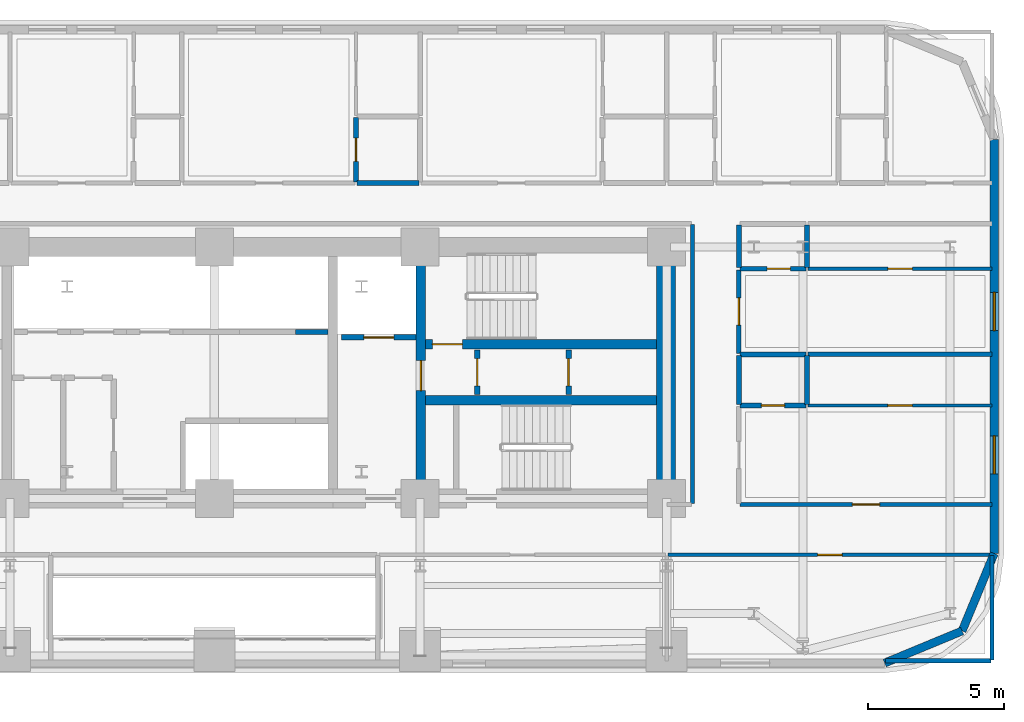
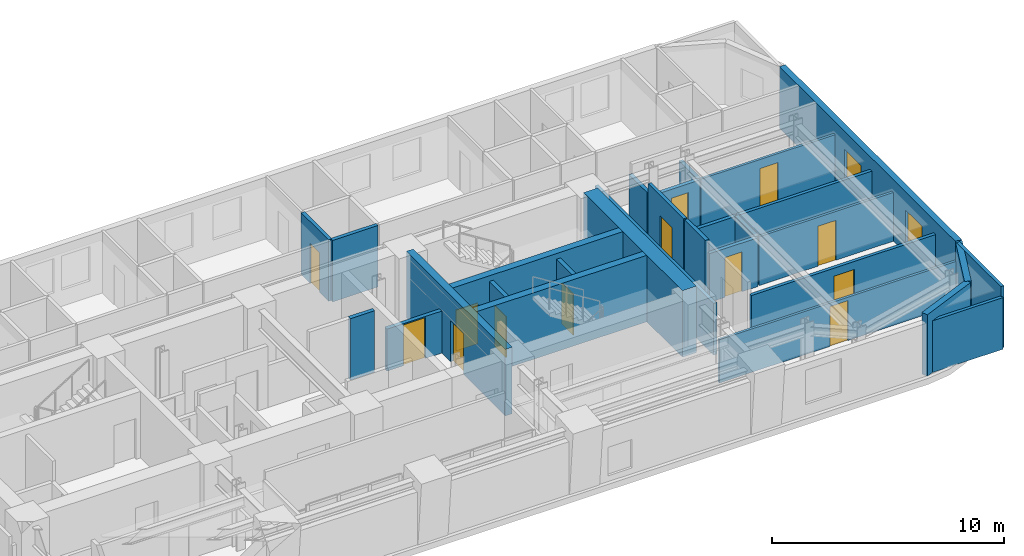
# One storey, part 10 of 15: 29 walls, 13 doors, 2 windows, 15 openings.
"""IFC4 building model written with IfcOpenShell, lengths in metres."""

import ifcopenshell
import ifcopenshell.guid

model = None  # the IFC model being written
_history = None  # IfcOwnerHistory: only IFC2X3 demands one
_inside = {}  # id of a spatial element -> (the spatial element, [elements in it])
_under = {}  # id of a project, library or spatial element -> (it, [spatial elements below it])
_declared = {}  # id of a project -> (the project, [libraries it declares])
_typed = {}  # id of a type object -> (the type object, [elements of that type])
_made_of = {}  # id of a material, layer set ... -> (it, [elements and type objects made of it])


def new_model(schema):
    """Start an empty IFC model of exactly this schema.

    Asked for "IFC4X3", IfcOpenShell would pick the latest addendum, in which some entities
    have other attributes; the version numbers below select the first issue.
    IFC2X3 requires an IfcOwnerHistory on every rooted entity: one is made here for all.
    """
    global model, _history
    if schema == "IFC4X3":
        model = ifcopenshell.file(schema_version=(4, 3, 0, 0))
    else:
        model = ifcopenshell.file(schema=schema)
    _inside.clear()
    _under.clear()
    _declared.clear()
    _typed.clear()
    _made_of.clear()
    _history = None
    if model.schema == "IFC2X3":
        org = make("IfcOrganization", Name="unknown")
        user = make(
            "IfcPersonAndOrganization",
            ThePerson=make("IfcPerson", FamilyName="unknown"),
            TheOrganization=org,
        )
        app = make(
            "IfcApplication",
            ApplicationDeveloper=org,
            Version="unknown",
            ApplicationFullName="unknown",
            ApplicationIdentifier="unknown",
        )
        _history = make(
            "IfcOwnerHistory",
            OwningUser=user,
            OwningApplication=app,
            ChangeAction="ADDED",
            CreationDate=0,
        )
    return model


def make(cls, **values):
    """One entity of the class cls with the attributes given. An attribute that is None is left unset."""
    return model.create_entity(
        cls, **{name: value for name, value in values.items() if value is not None}
    )


def rooted(cls, **values):
    """An entity with a GlobalId (a new one), such as an element, a storey or a relation."""
    return make(cls, GlobalId=ifcopenshell.guid.new(), OwnerHistory=_history, **values)


def si_unit(unit_type, name, prefix=None):
    """IfcSIUnit, for example si_unit("LENGTHUNIT", "METRE", prefix="MILLI")."""
    return make("IfcSIUnit", UnitType=unit_type, Prefix=prefix, Name=name)


def assignment(units):
    """IfcUnitAssignment: the units of a project."""
    return None if units is None else make("IfcUnitAssignment", Units=units)


def point(xyz):
    """IfcCartesianPoint."""
    return None if xyz is None else make("IfcCartesianPoint", Coordinates=xyz)


def direction(xyz):
    """IfcDirection."""
    return None if xyz is None else make("IfcDirection", DirectionRatios=xyz)


def frame(location, z_axis=None, x_axis=None):
    """IfcAxis2Placement3D, a coordinate frame: its origin and axes. An axis left out is left unset."""
    return make(
        "IfcAxis2Placement3D",
        Location=point(location),
        Axis=direction(z_axis),
        RefDirection=direction(x_axis),
    )


def frame_2d(location, x_axis=None):
    """IfcAxis2Placement2D, a coordinate frame in the plane: its origin and x axis."""
    return make(
        "IfcAxis2Placement2D", Location=point(location), RefDirection=direction(x_axis)
    )


def origin():
    """The frame at (0, 0, 0) with its axes left unset."""
    return frame((0.0, 0.0, 0.0))


def place(relative_to, where):
    """IfcLocalPlacement: puts the frame where relative to a parent placement (None: the world)."""
    return make(
        "IfcLocalPlacement", PlacementRelTo=relative_to, RelativePlacement=where
    )


def context(
    kind, dimensions, precision=None, world=None, true_north=None, identifier=None
):
    """IfcGeometricRepresentationContext, for example the 3D "Model" context."""
    return make(
        "IfcGeometricRepresentationContext",
        ContextIdentifier=identifier,
        ContextType=kind,
        CoordinateSpaceDimension=dimensions,
        Precision=precision,
        WorldCoordinateSystem=world,
        TrueNorth=true_north,
    )


def subcontext(parent, identifier, kind, view, scale=None):
    """IfcGeometricRepresentationSubContext, for example "Body" below "Model"."""
    return make(
        "IfcGeometricRepresentationSubContext",
        ContextIdentifier=identifier,
        ContextType=kind,
        ParentContext=parent,
        TargetScale=scale,
        TargetView=view,
    )


def project(units=None, contexts=None):
    """IfcProject with its units and contexts."""
    return rooted(
        "IfcProject",
        Name="project",
        RepresentationContexts=contexts,
        UnitsInContext=assignment(units),
    )


def spatial(cls, under=None, at=None, **own):
    """A site, building, storey or space (cls), placed at a placement, below another one or the project."""
    s = rooted(cls, ObjectPlacement=at, **own)
    if under is not None:
        _under.setdefault(under.id(), (under, []))[1].append(s)
    return s


def profile(cls, at=None, kind="AREA", **sizes):
    """A parametric profile (cls). Its sizes go by their IFC names, for example OverallWidth=200.0."""
    return make(cls, ProfileType=kind, Position=at, **sizes)


def rectangle(**sizes):
    """IfcRectangleProfileDef."""
    return profile("IfcRectangleProfileDef", **sizes)


def extrude(swept, where, along, depth):
    """IfcExtrudedAreaSolid: the profile swept, set in the frame where, extruded along a direction by depth."""
    return make(
        "IfcExtrudedAreaSolid",
        SweptArea=swept,
        Position=where,
        ExtrudedDirection=direction(along),
        Depth=depth,
    )


def shape(context_of_items, identifier, shape_type, items):
    """IfcShapeRepresentation: the items that make up one representation, for example the "Body"."""
    return make(
        "IfcShapeRepresentation",
        ContextOfItems=context_of_items,
        RepresentationIdentifier=identifier,
        RepresentationType=shape_type,
        Items=items,
    )


def material(Name=None, Category=None):
    """IfcMaterial."""
    return make("IfcMaterial", Name=Name, Category=Category)


def layer(
    of_material, thickness, ventilated=None, Name=None, Category=None, Priority=None
):
    """IfcMaterialLayer: one layer of a wall or slab, of a material (None: an air gap)."""
    return make(
        "IfcMaterialLayer",
        Material=of_material,
        LayerThickness=thickness,
        IsVentilated=ventilated,
        Name=Name,
        Category=Category,
        Priority=Priority,
    )


def layer_set(layers, Name=None):
    """IfcMaterialLayerSet."""
    return make("IfcMaterialLayerSet", MaterialLayers=layers, LayerSetName=Name)


def made_of(thing, what):
    """Note that an element or type object is made of a material, layer set ...; save() writes the relation."""
    if what is not None:
        _made_of.setdefault(what.id(), (what, []))[1].append(thing)
    return thing


def type_object(cls, material=None, **own):
    """A type object (cls), such as IfcWallType, which elements share."""
    return made_of(rooted(cls, **own), material)


def element(
    cls,
    number,
    at=None,
    inside=None,
    cuts=None,
    type_object=None,
    material=None,
    context=None,
    identifier="Body",
    shape_type=None,
    held_by="IfcProductDefinitionShape",
    body=None,
    shapes=None,
    **own,
):
    """One element of the class cls, such as IfcWall. Its Tag is "e" and its number.

    at: its placement. inside: the storey or other place that contains it. cuts: it is an
    opening in that element (IfcRelVoidsElement). A single representation is given by context,
    identifier, shape_type and body (its items); several are given by shapes. held_by: the class
    of the entity that holds the representations. save() writes the other relations.
    """
    e = rooted(cls, Tag="e%d" % number, ObjectPlacement=at, **own)
    if body is not None:
        shapes = [shape(context, identifier, shape_type, body)]
    if shapes is not None:
        e.Representation = make(held_by, Representations=shapes)
    if inside is not None:
        _inside.setdefault(inside.id(), (inside, []))[1].append(e)
    if cuts is not None:
        rooted(
            "IfcRelVoidsElement", RelatingBuildingElement=cuts, RelatedOpeningElement=e
        )
    if type_object is not None:
        _typed.setdefault(type_object.id(), (type_object, []))[1].append(e)
    return made_of(e, material)


def fill(opening, filler):
    """IfcRelFillsElement: the door or window that sits in an opening."""
    return rooted(
        "IfcRelFillsElement",
        RelatingOpeningElement=opening,
        RelatedBuildingElement=filler,
    )


def aggregate(whole, parts):
    """IfcRelAggregates: a whole, such as a stair, and the parts it consists of."""
    return rooted("IfcRelAggregates", RelatingObject=whole, RelatedObjects=parts)


def save(model, path):
    """Write the relations noted so far, then the file.

    IfcRelAggregates (storeys below a building ...), IfcRelContainedInSpatialStructure (elements
    in a storey), IfcRelDefinesByType, IfcRelAssociatesMaterial and IfcRelDeclares: one each for
    every whole, place, type object, material and project.
    """
    for whole, parts in _under.values():
        aggregate(whole, parts)
    for where, things in _inside.values():
        rooted(
            "IfcRelContainedInSpatialStructure",
            RelatedElements=things,
            RelatingStructure=where,
        )
    for kind, things in _typed.values():
        rooted("IfcRelDefinesByType", RelatedObjects=things, RelatingType=kind)
    for what, things in _made_of.values():
        rooted("IfcRelAssociatesMaterial", RelatedObjects=things, RelatingMaterial=what)
    for by, libraries in _declared.values():
        rooted("IfcRelDeclares", RelatingContext=by, RelatedDefinitions=libraries)
    model.write(path)


model = new_model("IFC4")

# Units and contexts
model_context = context("Model", 3, precision=1e-05, world=origin(), true_north=direction((0.0, 1.0)))
body_context = subcontext(model_context, "Body", "Model", "MODEL_VIEW")
ifc_project = project(units=[si_unit("LENGTHUNIT", "METRE"), si_unit("AREAUNIT", "SQUARE_METRE"), si_unit("VOLUMEUNIT", "CUBIC_METRE"), si_unit("PLANEANGLEUNIT", "RADIAN"), si_unit("MASSUNIT", "GRAM", prefix="KILO")], contexts=[model_context])

# Site, building, storey
site_placement = place(None, origin())
site = spatial("IfcSite", under=ifc_project, at=site_placement, CompositionType="ELEMENT")
building_placement = place(site_placement, origin())
building = spatial("IfcBuilding", under=site, at=building_placement, Name="Zarnavel Station Tower", CompositionType="ELEMENT")
storey_placement = place(building_placement, frame((0.0, 0.0, 43.0)))
storey = spatial("IfcBuildingStorey", under=building, at=storey_placement, Name="L11", CompositionType="ELEMENT", Elevation=43.0)

# Wall, opening, door
ifc_material_1 = material(Name="Concrete C50/60", Category="concrete")
ifc_layer_1 = layer(ifc_material_1, 0.35009765625)
ifc_layer_set_1 = layer_set([ifc_layer_1], Name="CW_350")
wall_type_1 = type_object("IfcWallType", Name="CW_350", PredefinedType="SHEAR", material=ifc_layer_set_1)
wall_1_placement = place(storey_placement, frame((36.3798828125, 28.169921875, 0.0), z_axis=(0.0, 0.0, 1.0), x_axis=(0.0, 1.0, 0.0)))
wall_1 = element("IfcWall", 1, at=wall_1_placement, inside=storey, type_object=wall_type_1, Name="L11 Rear Core Shear Wall DIV-S2", PredefinedType="SHEAR", context=body_context, shape_type="SweptSolid", body=[
    extrude(rectangle(XDim=8.530029296875, YDim=0.35009765625, at=frame_2d((4.26513671875, 0.0))), origin(), (0.0, 0.0, 1.0), 3.5),
])
opening_1_placement = place(wall_1_placement, frame((3.610107421875, 0.0, 0.0)))
opening_1 = element("IfcOpeningElement", 2, at=opening_1_placement, cuts=wall_1, Name="Opening FD01", PredefinedType="OPENING", context=body_context, shape_type="SweptSolid", body=[
    extrude(rectangle(XDim=1.10009765625, YDim=2.14990234375, at=frame_2d((0.550048828125, 1.074951171875))), frame((0.0, 0.18505859375, 0.0), z_axis=(0.0, -1.0, 0.0), x_axis=(1.0, 0.0, 0.0)), (0.0, 0.0, 1.0), 0.3701171875),
])
ifc_material_2 = material(Name="Painted Galvanised Steel and Hardwood Leaf", Category="steel")
door_type_1 = type_object("IfcDoorType", Name="ID_STAIR_1100", OperationType="NOTDEFINED", PredefinedType="DOOR", material=ifc_material_2)
door_1_placement = place(opening_1_placement, origin())
door_1 = element("IfcDoor", 3, at=door_1_placement, inside=storey, type_object=door_type_1, Name="L11 East Stair Vestibule Fire Door", OperationType="SINGLE_SWING_LEFT", OverallHeight=2.14990234375, OverallWidth=1.10009765625, PredefinedType="DOOR", context=body_context, shape_type="SweptSolid", body=[
    extrude(rectangle(XDim=1.10009765625, YDim=2.14990234375, at=frame_2d((0.550048828125, 1.074951171875))), frame((0.0, 0.02490234375, 0.0), z_axis=(0.0, -1.0, 0.0), x_axis=(1.0, 0.0, 0.0)), (0.0, 0.0, 1.0), 0.050048828125),
])
fill(opening_1, door_1)

wall_2_placement = place(storey_placement, frame((45.030029296875, 33.47998046875, 0.0), z_axis=(0.0, 0.0, 1.0), x_axis=(-1.0, 0.0, 0.0)))
wall_2 = element("IfcWall", 4, at=wall_2_placement, inside=storey, type_object=wall_type_1, Name="L11 Rear Core Shear Wall DIV-H2", PredefinedType="SHEAR", context=body_context, shape_type="SweptSolid", body=[
    extrude(rectangle(XDim=8.47509765625, YDim=0.35009765625, at=frame_2d((4.237548828125, 0.0))), origin(), (0.0, 0.0, 1.0), 3.5),
])
opening_2_placement = place(wall_2_placement, frame((7.1298828125, 0.0, 0.0)))
opening_2 = element("IfcOpeningElement", 5, at=opening_2_placement, cuts=wall_2, Name="Opening FD01", PredefinedType="OPENING", context=body_context, shape_type="SweptSolid", body=[
    extrude(rectangle(XDim=1.10009765625, YDim=2.14990234375, at=frame_2d((0.550048828125, 1.074951171875))), frame((0.0, 0.18505859375, 0.0), z_axis=(0.0, -1.0, 0.0), x_axis=(1.0, 0.0, 0.0)), (0.0, 0.0, 1.0), 0.3701171875),
])
door_2_placement = place(opening_2_placement, origin())
door_2 = element("IfcDoor", 6, at=door_2_placement, inside=storey, type_object=door_type_1, Name="L11 Stair ST2 Lobby Fire Door", OperationType="SINGLE_SWING_RIGHT", OverallHeight=2.14990234375, OverallWidth=1.10009765625, PredefinedType="DOOR", context=body_context, shape_type="SweptSolid", body=[
    extrude(rectangle(XDim=1.10009765625, YDim=2.14990234375, at=frame_2d((0.550048828125, 1.074951171875))), frame((0.0, 0.02490234375, 0.0), z_axis=(0.0, -1.0, 0.0), x_axis=(1.0, 0.0, 0.0)), (0.0, 0.0, 1.0), 0.050048828125),
])
fill(opening_2, door_2)

# Walls
wall_3_placement = place(storey_placement, frame((36.554931640625, 31.419921875, 0.0), z_axis=(0.0, 0.0, 1.0), x_axis=(1.0, 0.0, 0.0)))
element("IfcWall", 7, at=wall_3_placement, inside=storey, type_object=wall_type_1, Name="L11 Rear Core Shear Wall DIV-H3", PredefinedType="SHEAR", context=body_context, shape_type="SweptSolid", body=[
    extrude(rectangle(XDim=8.47509765625, YDim=0.35009765625, at=frame_2d((4.237548828125, 0.0))), origin(), (0.0, 0.0, 1.0), 3.5),
])
ifc_material_3 = material(Name="Concrete C60/75", Category="concrete")
ifc_layer_2 = layer(ifc_material_3, 0.699951171875)
ifc_layer_set_2 = layer_set([ifc_layer_2], Name="CW_700")
wall_type_2 = type_object("IfcWallType", Name="CW_700", PredefinedType="SHEAR", material=ifc_layer_set_2)
wall_4_placement = place(storey_placement, frame((45.3798828125, 28.169921875, 0.0), z_axis=(0.0, 0.0, 1.0), x_axis=(0.0, 1.0, 0.0)))
element("IfcWall", 8, at=wall_4_placement, inside=storey, type_object=wall_type_2, Name="L11 Rear Core Shear Wall E", PredefinedType="SHEAR", context=body_context, shape_type="SweptSolid", body=[
    extrude(rectangle(XDim=8.530029296875, YDim=0.699951171875, at=frame_2d((4.26513671875, 0.0))), origin(), (0.0, 0.0, 1.0), 3.5),
])
ifc_material_4 = material(Name="Precast concrete C45/55 (Dark Basalt Finish)", Category="masonry")
ifc_layer_3 = layer(ifc_material_4, 0.300048828125)
ifc_layer_set_3 = layer_set([ifc_layer_3], Name="EW_BASALT_300")
wall_type_3 = type_object("IfcWallType", Name="EW_BASALT_300", PredefinedType="SOLIDWALL", material=ifc_layer_set_3)
wall_5_placement = place(storey_placement, frame((56.24267578125, 22.95751953125, 0.0), z_axis=(0.0, 0.0, 1.0), x_axis=(-0.923882414032, -0.382676475685, 0.0)))
element("IfcWall", 9, at=wall_5_placement, inside=storey, type_object=wall_type_3, Name="L11 Exterior Basalt Masonry Frame Wall 01", PredefinedType="SOLIDWALL", context=body_context, shape_type="SweptSolid", body=[
    extrude(rectangle(XDim=3.076904296875, YDim=0.300048828125, at=frame_2d((1.53857421875, 0.0))), origin(), (0.0, 0.0, 1.0), 3.239990234375),
])
wall_6_placement = place(storey_placement, frame((57.419921875, 25.800048828125, 0.0), z_axis=(0.0, 0.0, 1.0), x_axis=(-0.382636798336, -0.92389884758, 0.0)))
element("IfcWall", 10, at=wall_6_placement, inside=storey, type_object=wall_type_3, Name="L11 Exterior Basalt Masonry Frame Wall 02", PredefinedType="SOLIDWALL", context=body_context, shape_type="SweptSolid", body=[
    extrude(rectangle(XDim=3.07666015625, YDim=0.300048828125, at=frame_2d((1.538330078125, 0.0))), origin(), (0.0, 0.0, 1.0), 3.239990234375),
])

# Wall, openings, windows
wall_7_placement = place(storey_placement, frame((57.419921875, 41.0, 0.0), z_axis=(0.0, 0.0, 1.0), x_axis=(0.0, -1.0, 0.0)))
wall_7 = element("IfcWall", 11, at=wall_7_placement, inside=storey, type_object=wall_type_3, Name="L11 Exterior Basalt Masonry Frame Wall 03", PredefinedType="SOLIDWALL", context=body_context, shape_type="SweptSolid", body=[
    extrude(rectangle(XDim=15.199951171875, YDim=0.300048828125, at=frame_2d((7.60009765625, 0.0))), origin(), (0.0, 0.0, 1.0), 3.239990234375),
])
opening_3_placement = place(wall_7_placement, frame((10.882080078125, 0.0, 0.47998046875)))
opening_3 = element("IfcOpeningElement", 12, at=opening_3_placement, cuts=wall_7, Name="Opening WN01", PredefinedType="OPENING", context=body_context, shape_type="SweptSolid", body=[
    extrude(rectangle(XDim=1.39990234375, YDim=1.800048828125, at=frame_2d((0.699951171875, 0.89990234375))), frame((0.0, 0.159912109375, 0.0), z_axis=(0.0, -1.0, 0.0), x_axis=(1.0, 0.0, 0.0)), (0.0, 0.0, 1.0), 0.320068359375),
])
opening_4_placement = place(wall_7_placement, frame((5.62060546875, 0.0, 0.47998046875)))
opening_4 = element("IfcOpeningElement", 13, at=opening_4_placement, cuts=wall_7, Name="Opening WN01", PredefinedType="OPENING", context=body_context, shape_type="SweptSolid", body=[
    extrude(rectangle(XDim=1.39990234375, YDim=1.800048828125, at=frame_2d((0.699951171875, 0.89990234375))), frame((0.0, 0.159912109375, 0.0), z_axis=(0.0, -1.0, 0.0), x_axis=(1.0, 0.0, 0.0)), (0.0, 0.0, 1.0), 0.320068359375),
])
ifc_material_5 = material(Name="Thermally Broken Black Aluminium and Low-E Dark Glass", Category="aluminium")
window_type = type_object("IfcWindowType", Name="WN_1400x1800", PartitioningType="DOUBLE_PANEL_VERTICAL", PredefinedType="WINDOW", material=ifc_material_5)
window_1_placement = place(opening_3_placement, origin())
window_1 = element("IfcWindow", 14, at=window_1_placement, inside=storey, type_object=window_type, Name="L11 Recessed Facade Window 01", OverallHeight=1.800048828125, OverallWidth=1.39990234375, PartitioningType="SINGLE_PANEL", PredefinedType="WINDOW", context=body_context, shape_type="SweptSolid", body=[
    extrude(rectangle(XDim=1.39990234375, YDim=1.800048828125, at=frame_2d((0.699951171875, 0.89990234375))), frame((0.0, 0.030029296875, 0.0), z_axis=(0.0, -1.0, 0.0), x_axis=(1.0, 0.0, 0.0)), (0.0, 0.0, 1.0), 0.06005859375),
])
fill(opening_3, window_1)
window_2_placement = place(opening_4_placement, origin())
window_2 = element("IfcWindow", 15, at=window_2_placement, inside=storey, type_object=window_type, Name="L11 Recessed Facade Window 02", OverallHeight=1.800048828125, OverallWidth=1.39990234375, PartitioningType="SINGLE_PANEL", PredefinedType="WINDOW", context=body_context, shape_type="SweptSolid", body=[
    extrude(rectangle(XDim=1.39990234375, YDim=1.800048828125, at=frame_2d((0.699951171875, 0.89990234375))), frame((0.0, 0.030029296875, 0.0), z_axis=(0.0, -1.0, 0.0), x_axis=(1.0, 0.0, 0.0)), (0.0, 0.0, 1.0), 0.06005859375),
])
fill(opening_4, window_2)

# Wall, opening, door
ifc_material_6 = material(Name="Gypsum Twin-Stud Acoustic Fire Partition", Category="concrete")
ifc_layer_4 = layer(ifc_material_6, 0.159912109375)
ifc_layer_set_4 = layer_set([ifc_layer_4], Name="PT_DEMISE_160")
wall_type_4 = type_object("IfcWallType", Name="PT_DEMISE_160", PredefinedType="PARTITIONING", material=ifc_layer_set_4)
wall_8_placement = place(storey_placement, frame((48.090087890625, 27.60009765625, 0.0), z_axis=(0.0, 0.0, 1.0), x_axis=(1.0, 0.0, 0.0)))
wall_8 = element("IfcWall", 16, at=wall_8_placement, inside=storey, type_object=wall_type_4, Name="L11 Partition COR-S-FNE1R", PredefinedType="PARTITIONING", context=body_context, shape_type="SweptSolid", body=[
    extrude(rectangle(XDim=9.25, YDim=0.159912109375, at=frame_2d((4.625, 0.0))), origin(), (0.0, 0.0, 1.0), 2.570068359375),
])
opening_5_placement = place(wall_8_placement, frame((4.125, 0.0, 0.0)))
opening_5 = element("IfcOpeningElement", 17, at=opening_5_placement, cuts=wall_8, Name="Opening FD02", PredefinedType="OPENING", context=body_context, shape_type="SweptSolid", body=[
    extrude(rectangle(XDim=1.0, YDim=2.14990234375, at=frame_2d((0.5, 1.074951171875))), frame((0.0, 0.08984375, 0.0), z_axis=(0.0, -1.0, 0.0), x_axis=(1.0, 0.0, 0.0)), (0.0, 0.0, 1.0), 0.179931640625),
])
ifc_material_7 = material(Name="Painted Galvanised Steel and Hardwood Leaf", Category="steel")
door_type_2 = type_object("IfcDoorType", Name="ID_ENTRY_1000", OperationType="NOTDEFINED", PredefinedType="DOOR", material=ifc_material_7)
door_3_placement = place(opening_5_placement, origin())
door_3 = element("IfcDoor", 18, at=door_3_placement, inside=storey, type_object=door_type_2, Name="L11 Door COR-S-FNE1R", OperationType="SINGLE_SWING_LEFT", OverallHeight=2.14990234375, OverallWidth=1.0, PredefinedType="DOOR", context=body_context, shape_type="SweptSolid", body=[
    extrude(rectangle(XDim=1.0, YDim=2.14990234375, at=frame_2d((0.5, 1.074951171875))), frame((0.0, 0.02490234375, 0.0), z_axis=(0.0, -1.0, 0.0), x_axis=(1.0, 0.0, 0.0)), (0.0, 0.0, 1.0), 0.050048828125),
])
fill(opening_5, door_3)

wall_9_placement = place(storey_placement, frame((48.050048828125, 33.14892578125, 0.0), z_axis=(0.0, 0.0, 1.0), x_axis=(0.0, 1.0, 0.0)))
wall_9 = element("IfcWall", 19, at=wall_9_placement, inside=storey, type_object=wall_type_4, Name="L11 Partition COR-E-FNE2R", PredefinedType="PARTITIONING", context=body_context, shape_type="SweptSolid", body=[
    extrude(rectangle(XDim=3.06103515625, YDim=0.159912109375, at=frame_2d((1.530517578125, 0.0))), origin(), (0.0, 0.0, 1.0), 3.239990234375),
])
opening_6_placement = place(wall_9_placement, frame((1.030517578125, 0.0, 0.0)))
opening_6 = element("IfcOpeningElement", 20, at=opening_6_placement, cuts=wall_9, Name="Opening FD02", PredefinedType="OPENING", context=body_context, shape_type="SweptSolid", body=[
    extrude(rectangle(XDim=1.0, YDim=2.14990234375, at=frame_2d((0.5, 1.074951171875))), frame((0.0, 0.08984375, 0.0), z_axis=(0.0, -1.0, 0.0), x_axis=(1.0, 0.0, 0.0)), (0.0, 0.0, 1.0), 0.179931640625),
])
door_4_placement = place(opening_6_placement, origin())
door_4 = element("IfcDoor", 21, at=door_4_placement, inside=storey, type_object=door_type_2, Name="L11 Door COR-E-FNE2R", OperationType="SINGLE_SWING_LEFT", OverallHeight=2.14990234375, OverallWidth=1.0, PredefinedType="DOOR", context=body_context, shape_type="SweptSolid", body=[
    extrude(rectangle(XDim=1.0, YDim=2.14990234375, at=frame_2d((0.5, 1.074951171875))), frame((0.0, 0.02490234375, 0.0), z_axis=(0.0, -1.0, 0.0), x_axis=(1.0, 0.0, 0.0)), (0.0, 0.0, 1.0), 0.050048828125),
])
fill(opening_6, door_4)

# Walls
wall_10_placement = place(storey_placement, frame((50.590087890625, 33.10888671875, 0.0), z_axis=(0.0, 0.0, 1.0), x_axis=(1.0, 0.0, 0.0)))
element("IfcWall", 22, at=wall_10_placement, inside=storey, type_object=wall_type_4, Name="L11 Partition FNE1S-FNE2R", PredefinedType="PARTITIONING", context=body_context, shape_type="SweptSolid", body=[
    extrude(rectangle(XDim=6.75, YDim=0.159912109375, at=frame_2d((3.375, 0.0))), origin(), (0.0, 0.0, 1.0), 2.570068359375),
])
wall_11_placement = place(storey_placement, frame((46.35009765625, 27.6298828125, 0.0), z_axis=(0.0, 0.0, 1.0), x_axis=(0.0, 1.0, 0.0)))
element("IfcWall", 23, at=wall_11_placement, inside=storey, type_object=wall_type_4, Name="L11 Enclosure Wall COR-E", PredefinedType="PARTITIONING", context=body_context, shape_type="SweptSolid", body=[
    extrude(rectangle(XDim=10.240234375, YDim=0.159912109375, at=frame_2d((5.1201171875, 0.0))), origin(), (0.0, 0.0, 1.0), 2.719970703125),
])
wall_12_placement = place(storey_placement, frame((53.429931640625, 21.860107421875, 0.0), z_axis=(0.0, 0.0, 1.0), x_axis=(1.0, 0.0, 0.0)))
element("IfcWall", 24, at=wall_12_placement, inside=storey, type_object=wall_type_4, Name="L11 Enclosure Wall Z1SYN", PredefinedType="PARTITIONING", context=body_context, shape_type="SweptSolid", body=[
    extrude(rectangle(XDim=3.880126953125, YDim=0.159912109375, at=frame_2d((1.93994140625, 0.0))), origin(), (0.0, 0.0, 1.0), 2.719970703125),
])
wall_13_placement = place(storey_placement, frame((57.340087890625, 21.889892578125, 0.0), z_axis=(0.0, 0.0, 1.0), x_axis=(0.0, 1.0, 0.0)))
element("IfcWall", 25, at=wall_13_placement, inside=storey, type_object=wall_type_4, Name="L11 Enclosure Wall Z1SYN", PredefinedType="PARTITIONING", context=body_context, shape_type="SweptSolid", body=[
    extrude(rectangle(XDim=3.830078125, YDim=0.159912109375, at=frame_2d((1.9150390625, 0.0))), origin(), (0.0, 0.0, 1.0), 3.239990234375),
])

# Wall, opening, door
ifc_material_8 = material(Name="Gypsum Metal-Stud Interior Partition", Category="concrete")
ifc_layer_5 = layer(ifc_material_8, 0.1201171875)
ifc_layer_set_5 = layer_set([ifc_layer_5], Name="PT_ROOM_120")
wall_type_5 = type_object("IfcWallType", Name="PT_ROOM_120", PredefinedType="PARTITIONING", material=ifc_layer_set_5)
wall_14_placement = place(storey_placement, frame((45.43994140625, 25.75, 0.0), z_axis=(0.0, 0.0, 1.0), x_axis=(1.0, 0.0, 0.0)))
wall_14 = element("IfcWall", 26, at=wall_14_placement, inside=storey, type_object=wall_type_5, Name="L11 Partition COR-S-Z1SYN", PredefinedType="PARTITIONING", context=body_context, shape_type="SweptSolid", body=[
    extrude(rectangle(XDim=11.900146484375, YDim=0.1201171875, at=frame_2d((5.9501953125, 0.0))), origin(), (0.0, 0.0, 1.0), 2.280029296875),
])
opening_7_placement = place(wall_14_placement, frame((5.5, 0.0, 0.0)))
opening_7 = element("IfcOpeningElement", 27, at=opening_7_placement, cuts=wall_14, Name="Opening ID01", PredefinedType="OPENING", context=body_context, shape_type="SweptSolid", body=[
    extrude(rectangle(XDim=0.89990234375, YDim=2.10009765625, at=frame_2d((0.449951171875, 1.050048828125))), frame((0.0, 0.070068359375, 0.0), z_axis=(0.0, -1.0, 0.0), x_axis=(1.0, 0.0, 0.0)), (0.0, 0.0, 1.0), 0.14013671875),
])
ifc_material_9 = material(Name="Painted Galvanised Steel and Hardwood Leaf", Category="steel")
door_type_3 = type_object("IfcDoorType", Name="ID_ROOM_900", OperationType="NOTDEFINED", PredefinedType="DOOR", material=ifc_material_9)
door_5_placement = place(opening_7_placement, origin())
door_5 = element("IfcDoor", 28, at=door_5_placement, inside=storey, type_object=door_type_3, Name="L11 Door COR-S-Z1SYN", OperationType="SINGLE_SWING_LEFT", OverallHeight=2.10009765625, OverallWidth=0.89990234375, PredefinedType="DOOR", context=body_context, shape_type="SweptSolid", body=[
    extrude(rectangle(XDim=0.89990234375, YDim=2.10009765625, at=frame_2d((0.449951171875, 1.050048828125))), frame((0.0, 0.02490234375, 0.0), z_axis=(0.0, -1.0, 0.0), x_axis=(1.0, 0.0, 0.0)), (0.0, 0.0, 1.0), 0.050048828125),
])
fill(opening_7, door_5)

wall_15_placement = place(storey_placement, frame((50.590087890625, 31.236083984375, 0.0), z_axis=(0.0, 0.0, 1.0), x_axis=(1.0, 0.0, 0.0)))
wall_15 = element("IfcWall", 29, at=wall_15_placement, inside=storey, type_object=wall_type_5, Name="L11 Partition FNE1R-FNE1S", PredefinedType="PARTITIONING", context=body_context, shape_type="SweptSolid", body=[
    extrude(rectangle(XDim=6.75, YDim=0.1201171875, at=frame_2d((3.375, 0.0))), origin(), (0.0, 0.0, 1.0), 2.570068359375),
])
opening_8_placement = place(wall_15_placement, frame((2.925048828125, 0.0, 0.0)))
opening_8 = element("IfcOpeningElement", 30, at=opening_8_placement, cuts=wall_15, Name="Opening ID01", PredefinedType="OPENING", context=body_context, shape_type="SweptSolid", body=[
    extrude(rectangle(XDim=0.89990234375, YDim=2.10009765625, at=frame_2d((0.449951171875, 1.050048828125))), frame((0.0, 0.070068359375, 0.0), z_axis=(0.0, -1.0, 0.0), x_axis=(1.0, 0.0, 0.0)), (0.0, 0.0, 1.0), 0.14013671875),
])
door_6_placement = place(opening_8_placement, origin())
door_6 = element("IfcDoor", 31, at=door_6_placement, inside=storey, type_object=door_type_3, Name="L11 Door FNE1R-FNE1S", OperationType="SINGLE_SWING_RIGHT", OverallHeight=2.10009765625, OverallWidth=0.89990234375, PredefinedType="DOOR", context=body_context, shape_type="SweptSolid", body=[
    extrude(rectangle(XDim=0.89990234375, YDim=2.10009765625, at=frame_2d((0.449951171875, 1.050048828125))), frame((0.0, 0.02490234375, 0.0), z_axis=(0.0, -1.0, 0.0), x_axis=(1.0, 0.0, 0.0)), (0.0, 0.0, 1.0), 0.050048828125),
])
fill(opening_8, door_6)

wall_16_placement = place(storey_placement, frame((50.590087890625, 36.25, 0.0), z_axis=(0.0, 0.0, 1.0), x_axis=(1.0, 0.0, 0.0)))
wall_16 = element("IfcWall", 32, at=wall_16_placement, inside=storey, type_object=wall_type_5, Name="L11 Partition FNE2R-FNE2S", PredefinedType="PARTITIONING", context=body_context, shape_type="SweptSolid", body=[
    extrude(rectangle(XDim=6.75, YDim=0.1201171875, at=frame_2d((3.375, 0.0))), origin(), (0.0, 0.0, 1.0), 2.570068359375),
])
opening_9_placement = place(wall_16_placement, frame((2.925048828125, 0.0, 0.0)))
opening_9 = element("IfcOpeningElement", 33, at=opening_9_placement, cuts=wall_16, Name="Opening ID01", PredefinedType="OPENING", context=body_context, shape_type="SweptSolid", body=[
    extrude(rectangle(XDim=0.89990234375, YDim=2.10009765625, at=frame_2d((0.449951171875, 1.050048828125))), frame((0.0, 0.070068359375, 0.0), z_axis=(0.0, -1.0, 0.0), x_axis=(1.0, 0.0, 0.0)), (0.0, 0.0, 1.0), 0.14013671875),
])
door_7_placement = place(opening_9_placement, origin())
door_7 = element("IfcDoor", 34, at=door_7_placement, inside=storey, type_object=door_type_3, Name="L11 Door FNE2R-FNE2S", OperationType="SINGLE_SWING_RIGHT", OverallHeight=2.10009765625, OverallWidth=0.89990234375, PredefinedType="DOOR", context=body_context, shape_type="SweptSolid", body=[
    extrude(rectangle(XDim=0.89990234375, YDim=2.10009765625, at=frame_2d((0.449951171875, 1.050048828125))), frame((0.0, 0.02490234375, 0.0), z_axis=(0.0, -1.0, 0.0), x_axis=(1.0, 0.0, 0.0)), (0.0, 0.0, 1.0), 0.050048828125),
])
fill(opening_9, door_7)

ifc_material_10 = material(Name="Precast concrete C45/55 (Fire Shaft Blockwork)", Category="masonry")
ifc_layer_6 = layer(ifc_material_10, 0.199951171875)
ifc_layer_set_6 = layer_set([ifc_layer_6], Name="PT_SHAFT_200")
wall_type_6 = type_object("IfcWallType", Name="PT_SHAFT_200", PredefinedType="PARTITIONING", material=ifc_layer_set_6)
wall_17_placement = place(storey_placement, frame((33.47509765625, 33.72998046875, 0.0), z_axis=(0.0, 0.0, 1.0), x_axis=(1.0, 0.0, 0.0)))
wall_17 = element("IfcWall", 35, at=wall_17_placement, inside=storey, type_object=wall_type_6, Name="L11 Lift FFL-02 Shaft Front Wall", PredefinedType="PARTITIONING", context=body_context, shape_type="SweptSolid", body=[
    extrude(rectangle(XDim=2.724853515625, YDim=0.199951171875, at=frame_2d((1.3623046875, 0.0))), origin(), (0.0, 0.0, 1.0), 2.2119140625),
])
opening_10_placement = place(wall_17_placement, frame((0.8125, 0.0, 0.0)))
opening_10 = element("IfcOpeningElement", 36, at=opening_10_placement, cuts=wall_17, Name="Opening LD01", PredefinedType="OPENING", context=body_context, shape_type="SweptSolid", body=[
    extrude(rectangle(XDim=1.10009765625, YDim=2.14990234375, at=frame_2d((0.550048828125, 1.074951171875))), frame((0.0, 0.10986328125, 0.0), z_axis=(0.0, -1.0, 0.0), x_axis=(1.0, 0.0, 0.0)), (0.0, 0.0, 1.0), 0.219970703125),
])
ifc_material_11 = material(Name="Painted Galvanised Steel and Hardwood Leaf", Category="steel")
door_type_4 = type_object("IfcDoorType", Name="LD_FF_1100", OperationType="DOUBLE_DOOR_SLIDING", PredefinedType="DOOR", material=ifc_material_11)
door_8_placement = place(opening_10_placement, origin())
door_8 = element("IfcDoor", 37, at=door_8_placement, inside=storey, type_object=door_type_4, Name="L11 Lift FFL-02 Sliding Landing Door", OperationType="DOUBLE_DOOR_SLIDING", OverallHeight=2.14990234375, OverallWidth=1.10009765625, PredefinedType="DOOR", context=body_context, shape_type="SweptSolid", body=[
    extrude(rectangle(XDim=1.10009765625, YDim=2.14990234375, at=frame_2d((0.550048828125, 1.074951171875))), frame((0.0, 0.02490234375, 0.0), z_axis=(0.0, -1.0, 0.0), x_axis=(1.0, 0.0, 0.0)), (0.0, 0.0, 1.0), 0.050048828125),
])
fill(opening_10, door_8)

# Wall
wall_18_placement = place(storey_placement, frame((31.77490234375, 33.929931640625, 0.0), z_axis=(0.0, 0.0, 1.0), x_axis=(1.0, 0.0, 0.0)))
element("IfcWall", 38, at=wall_18_placement, inside=storey, type_object=wall_type_6, Name="L11 Lift PL-M3 Shaft Front Wall", PredefinedType="PARTITIONING", context=body_context, shape_type="SweptSolid", body=[
    extrude(rectangle(XDim=1.2001953125, YDim=0.199951171875, at=frame_2d((0.60009765625, 0.0))), origin(), (0.0, 0.0, 1.0), 3.239990234375),
])

# Wall, opening, door
wall_19_placement = place(storey_placement, frame((38.449951171875, 31.639892578125, 0.0), z_axis=(0.0, 0.0, 1.0), x_axis=(0.0, 1.0, 0.0)))
wall_19 = element("IfcWall", 39, at=wall_19_placement, inside=storey, type_object=wall_type_6, Name="L11 Partition ESTV-CEA", PredefinedType="PARTITIONING", context=body_context, shape_type="SweptSolid", body=[
    extrude(rectangle(XDim=1.6201171875, YDim=0.199951171875, at=frame_2d((0.81005859375, 0.0))), origin(), (0.0, 0.0, 1.0), 3.239990234375),
])
opening_11_placement = place(wall_19_placement, frame((0.31005859375, 0.0, 0.0)))
opening_11 = element("IfcOpeningElement", 40, at=opening_11_placement, cuts=wall_19, Name="Opening FD02", PredefinedType="OPENING", context=body_context, shape_type="SweptSolid", body=[
    extrude(rectangle(XDim=1.0, YDim=2.14990234375, at=frame_2d((0.5, 1.074951171875))), frame((0.0, 0.10986328125, 0.0), z_axis=(0.0, -1.0, 0.0), x_axis=(1.0, 0.0, 0.0)), (0.0, 0.0, 1.0), 0.219970703125),
])
door_9_placement = place(opening_11_placement, origin())
door_9 = element("IfcDoor", 41, at=door_9_placement, inside=storey, type_object=door_type_2, Name="L11 Door ESTV-CEA", OperationType="SINGLE_SWING_LEFT", OverallHeight=2.14990234375, OverallWidth=1.0, PredefinedType="DOOR", context=body_context, shape_type="SweptSolid", body=[
    extrude(rectangle(XDim=1.0, YDim=2.14990234375, at=frame_2d((0.5, 1.074951171875))), frame((0.0, 0.02490234375, 0.0), z_axis=(0.0, -1.0, 0.0), x_axis=(1.0, 0.0, 0.0)), (0.0, 0.0, 1.0), 0.050048828125),
])
fill(opening_11, door_9)

wall_20_placement = place(storey_placement, frame((41.800048828125, 31.639892578125, 0.0), z_axis=(0.0, 0.0, 1.0), x_axis=(0.0, 1.0, 0.0)))
wall_20 = element("IfcWall", 42, at=wall_20_placement, inside=storey, type_object=wall_type_6, Name="L11 Partition CEA-CEB", PredefinedType="PARTITIONING", context=body_context, shape_type="SweptSolid", body=[
    extrude(rectangle(XDim=1.6201171875, YDim=0.199951171875, at=frame_2d((0.81005859375, 0.0))), origin(), (0.0, 0.0, 1.0), 3.239990234375),
])
opening_12_placement = place(wall_20_placement, frame((0.31005859375, 0.0, 0.0)))
opening_12 = element("IfcOpeningElement", 43, at=opening_12_placement, cuts=wall_20, Name="Opening FD02", PredefinedType="OPENING", context=body_context, shape_type="SweptSolid", body=[
    extrude(rectangle(XDim=1.0, YDim=2.14990234375, at=frame_2d((0.5, 1.074951171875))), frame((0.0, 0.10986328125, 0.0), z_axis=(0.0, -1.0, 0.0), x_axis=(1.0, 0.0, 0.0)), (0.0, 0.0, 1.0), 0.219970703125),
])
door_10_placement = place(opening_12_placement, origin())
door_10 = element("IfcDoor", 44, at=door_10_placement, inside=storey, type_object=door_type_2, Name="L11 Door CEA-CEB", OperationType="SINGLE_SWING_RIGHT", OverallHeight=2.14990234375, OverallWidth=1.0, PredefinedType="DOOR", context=body_context, shape_type="SweptSolid", body=[
    extrude(rectangle(XDim=1.0, YDim=2.14990234375, at=frame_2d((0.5, 1.074951171875))), frame((0.0, 0.02490234375, 0.0), z_axis=(0.0, -1.0, 0.0), x_axis=(1.0, 0.0, 0.0)), (0.0, 0.0, 1.0), 0.050048828125),
])
fill(opening_12, door_10)

# Walls
ifc_material_12 = material(Name="Moisture-Resistant Plumbing Chase Wall", Category="concrete")
ifc_layer_7 = layer(ifc_material_12, 0.179931640625)
ifc_layer_set_7 = layer_set([ifc_layer_7], Name="PW_PLUMB_180")
wall_type_7 = type_object("IfcWallType", Name="PW_PLUMB_180", PredefinedType="PLUMBINGWALL", material=ifc_layer_set_7)
wall_21_placement = place(storey_placement, frame((48.050048828125, 31.27587890625, 0.0), z_axis=(0.0, 0.0, 1.0), x_axis=(0.0, 1.0, 0.0)))
element("IfcWall", 45, at=wall_21_placement, inside=storey, type_object=wall_type_7, Name="L11 Partition COR-E-FNE1B", PredefinedType="PLUMBINGWALL", context=body_context, shape_type="SweptSolid", body=[
    extrude(rectangle(XDim=1.793212890625, YDim=0.179931640625, at=frame_2d((0.896484375, 0.0))), origin(), (0.0, 0.0, 1.0), 3.239990234375),
])
wall_22_placement = place(storey_placement, frame((48.050048828125, 36.2900390625, 0.0), z_axis=(0.0, 0.0, 1.0), x_axis=(0.0, 1.0, 0.0)))
element("IfcWall", 46, at=wall_22_placement, inside=storey, type_object=wall_type_7, Name="L11 Partition COR-E-FNE2B", PredefinedType="PLUMBINGWALL", context=body_context, shape_type="SweptSolid", body=[
    extrude(rectangle(XDim=1.570068359375, YDim=0.179931640625, at=frame_2d((0.78515625, 0.0))), origin(), (0.0, 0.0, 1.0), 2.719970703125),
])
wall_23_placement = place(storey_placement, frame((34.0400390625, 39.39990234375, 0.0), z_axis=(0.0, 0.0, 1.0), x_axis=(1.0, 0.0, 0.0)))
element("IfcWall", 47, at=wall_23_placement, inside=storey, type_object=wall_type_7, Name="L11 Partition COR-N-HN3B", PredefinedType="PLUMBINGWALL", context=body_context, shape_type="SweptSolid", body=[
    extrude(rectangle(XDim=2.27001953125, YDim=0.179931640625, at=frame_2d((1.135009765625, 0.0))), origin(), (0.0, 0.0, 1.0), 3.239990234375),
])

# Wall, opening, door
wall_24_placement = place(storey_placement, frame((48.090087890625, 31.236083984375, 0.0), z_axis=(0.0, 0.0, 1.0), x_axis=(1.0, 0.0, 0.0)))
wall_24 = element("IfcWall", 48, at=wall_24_placement, inside=storey, type_object=wall_type_7, Name="L11 Partition FNE1R-FNE1B", PredefinedType="PLUMBINGWALL", context=body_context, shape_type="SweptSolid", body=[
    extrude(rectangle(XDim=2.419921875, YDim=0.179931640625, at=frame_2d((1.2099609375, 0.0))), origin(), (0.0, 0.0, 1.0), 2.570068359375),
])
opening_13_placement = place(wall_24_placement, frame((0.784912109375, 0.0, 0.0)))
opening_13 = element("IfcOpeningElement", 49, at=opening_13_placement, cuts=wall_24, Name="Opening ID02", PredefinedType="OPENING", context=body_context, shape_type="SweptSolid", body=[
    extrude(rectangle(XDim=0.85009765625, YDim=2.10009765625, at=frame_2d((0.425048828125, 1.050048828125))), frame((0.0, 0.099853515625, 0.0), z_axis=(0.0, -1.0, 0.0), x_axis=(1.0, 0.0, 0.0)), (0.0, 0.0, 1.0), 0.199951171875),
])
ifc_material_13 = material(Name="Painted Galvanised Steel and Hardwood Leaf", Category="steel")
door_type_5 = type_object("IfcDoorType", Name="ID_BATH_850", OperationType="NOTDEFINED", PredefinedType="DOOR", material=ifc_material_13)
door_11_placement = place(opening_13_placement, origin())
door_11 = element("IfcDoor", 50, at=door_11_placement, inside=storey, type_object=door_type_5, Name="L11 Door FNE1R-FNE1B", OperationType="SINGLE_SWING_LEFT", OverallHeight=2.10009765625, OverallWidth=0.85009765625, PredefinedType="DOOR", context=body_context, shape_type="SweptSolid", body=[
    extrude(rectangle(XDim=0.85009765625, YDim=2.10009765625, at=frame_2d((0.425048828125, 1.050048828125))), frame((0.0, 0.02490234375, 0.0), z_axis=(0.0, -1.0, 0.0), x_axis=(1.0, 0.0, 0.0)), (0.0, 0.0, 1.0), 0.050048828125),
])
fill(opening_13, door_11)

# Walls
wall_25_placement = place(storey_placement, frame((50.550048828125, 31.27587890625, 0.0), z_axis=(0.0, 0.0, 1.0), x_axis=(0.0, 1.0, 0.0)))
element("IfcWall", 51, at=wall_25_placement, inside=storey, type_object=wall_type_7, Name="L11 Partition FNE1B-FNE1S", PredefinedType="PLUMBINGWALL", context=body_context, shape_type="SweptSolid", body=[
    extrude(rectangle(XDim=1.793212890625, YDim=0.179931640625, at=frame_2d((0.896484375, 0.0))), origin(), (0.0, 0.0, 1.0), 2.570068359375),
])
wall_26_placement = place(storey_placement, frame((48.090087890625, 33.10888671875, 0.0), z_axis=(0.0, 0.0, 1.0), x_axis=(1.0, 0.0, 0.0)))
element("IfcWall", 52, at=wall_26_placement, inside=storey, type_object=wall_type_7, Name="L11 Partition FNE1B-FNE2R", PredefinedType="PLUMBINGWALL", context=body_context, shape_type="SweptSolid", body=[
    extrude(rectangle(XDim=2.419921875, YDim=0.179931640625, at=frame_2d((1.2099609375, 0.0))), origin(), (0.0, 0.0, 1.0), 2.570068359375),
])

# Wall, opening, door
wall_27_placement = place(storey_placement, frame((50.510009765625, 36.25, 0.0), z_axis=(0.0, 0.0, 1.0), x_axis=(-1.0, 0.0, 0.0)))
wall_27 = element("IfcWall", 53, at=wall_27_placement, inside=storey, type_object=wall_type_7, Name="L11 Partition FNE2R-FNE2B", PredefinedType="PLUMBINGWALL", context=body_context, shape_type="SweptSolid", body=[
    extrude(rectangle(XDim=2.419921875, YDim=0.179931640625, at=frame_2d((1.2099609375, 0.0))), origin(), (0.0, 0.0, 1.0), 2.570068359375),
])
opening_14_placement = place(wall_27_placement, frame((0.570068359375, 0.0, 0.0)))
opening_14 = element("IfcOpeningElement", 54, at=opening_14_placement, cuts=wall_27, Name="Opening ID02", PredefinedType="OPENING", context=body_context, shape_type="SweptSolid", body=[
    extrude(rectangle(XDim=0.85009765625, YDim=2.10009765625, at=frame_2d((0.425048828125, 1.050048828125))), frame((0.0, 0.099853515625, 0.0), z_axis=(0.0, -1.0, 0.0), x_axis=(1.0, 0.0, 0.0)), (0.0, 0.0, 1.0), 0.199951171875),
])
door_12_placement = place(opening_14_placement, origin())
door_12 = element("IfcDoor", 55, at=door_12_placement, inside=storey, type_object=door_type_5, Name="L11 Door FNE2R-FNE2B", OperationType="SINGLE_SWING_LEFT", OverallHeight=2.10009765625, OverallWidth=0.85009765625, PredefinedType="DOOR", context=body_context, shape_type="SweptSolid", body=[
    extrude(rectangle(XDim=0.85009765625, YDim=2.10009765625, at=frame_2d((0.425048828125, 1.050048828125))), frame((0.0, 0.02490234375, 0.0), z_axis=(0.0, -1.0, 0.0), x_axis=(1.0, 0.0, 0.0)), (0.0, 0.0, 1.0), 0.050048828125),
])
fill(opening_14, door_12)

# Wall
wall_28_placement = place(storey_placement, frame((50.550048828125, 36.2900390625, 0.0), z_axis=(0.0, 0.0, 1.0), x_axis=(0.0, 1.0, 0.0)))
element("IfcWall", 56, at=wall_28_placement, inside=storey, type_object=wall_type_7, Name="L11 Partition FNE2B-FNE2S", PredefinedType="PLUMBINGWALL", context=body_context, shape_type="SweptSolid", body=[
    extrude(rectangle(XDim=1.570068359375, YDim=0.179931640625, at=frame_2d((0.78515625, 0.0))), origin(), (0.0, 0.0, 1.0), 2.570068359375),
])

# Wall, opening, door
wall_29_placement = place(storey_placement, frame((34.0, 39.43994140625, 0.0), z_axis=(0.0, 0.0, 1.0), x_axis=(0.0, 1.0, 0.0)))
wall_29 = element("IfcWall", 57, at=wall_29_placement, inside=storey, type_object=wall_type_7, Name="L11 Partition HN3R-HN3B", PredefinedType="PLUMBINGWALL", context=body_context, shape_type="SweptSolid", body=[
    extrude(rectangle(XDim=2.358154296875, YDim=0.179931640625, at=frame_2d((1.17919921875, 0.0))), origin(), (0.0, 0.0, 1.0), 3.239990234375),
])
opening_15_placement = place(wall_29_placement, frame((0.75390625, 0.0, 0.0)))
opening_15 = element("IfcOpeningElement", 58, at=opening_15_placement, cuts=wall_29, Name="Opening ID02", PredefinedType="OPENING", context=body_context, shape_type="SweptSolid", body=[
    extrude(rectangle(XDim=0.85009765625, YDim=2.10009765625, at=frame_2d((0.425048828125, 1.050048828125))), frame((0.0, 0.099853515625, 0.0), z_axis=(0.0, -1.0, 0.0), x_axis=(1.0, 0.0, 0.0)), (0.0, 0.0, 1.0), 0.199951171875),
])
door_13_placement = place(opening_15_placement, origin())
door_13 = element("IfcDoor", 59, at=door_13_placement, inside=storey, type_object=door_type_5, Name="L11 Door HN3R-HN3B", OperationType="SINGLE_SWING_LEFT", OverallHeight=2.10009765625, OverallWidth=0.85009765625, PredefinedType="DOOR", context=body_context, shape_type="SweptSolid", body=[
    extrude(rectangle(XDim=0.85009765625, YDim=2.10009765625, at=frame_2d((0.425048828125, 1.050048828125))), frame((0.0, 0.02490234375, 0.0), z_axis=(0.0, -1.0, 0.0), x_axis=(1.0, 0.0, 0.0)), (0.0, 0.0, 1.0), 0.050048828125),
])
fill(opening_15, door_13)

save(model, "model.ifc")
